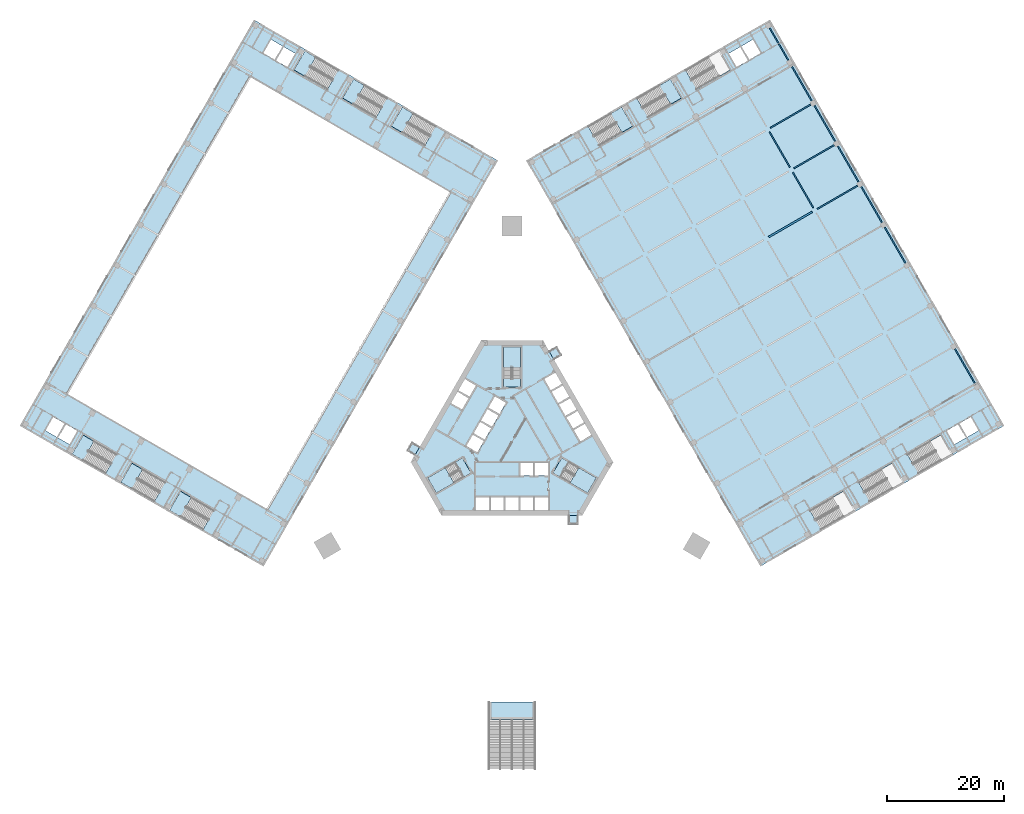
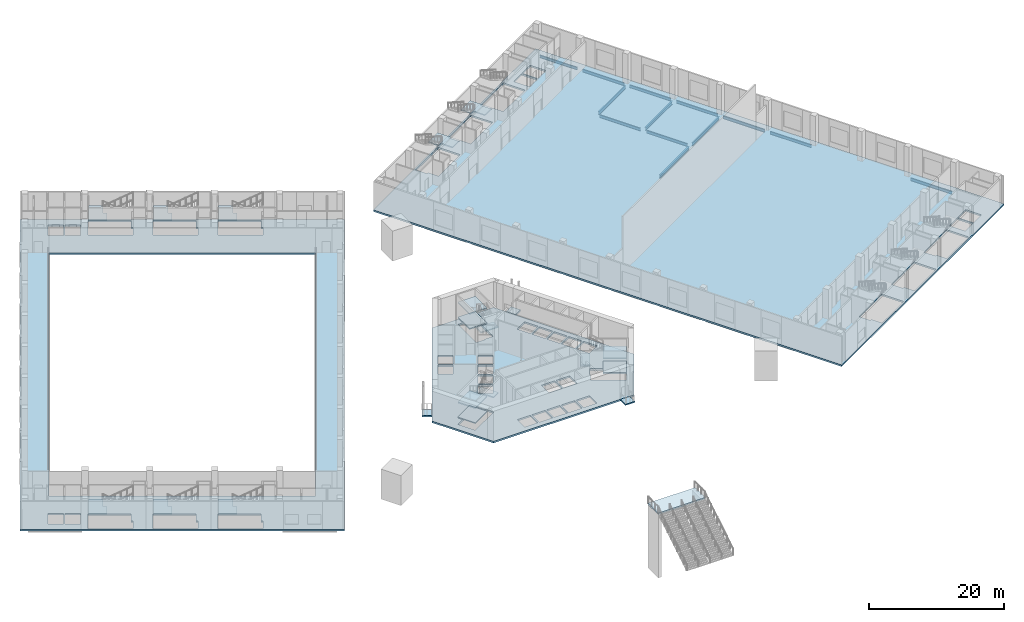
# One storey, part 7 of 35: 24 slabs, 13 beams, 11 elements without a shape of their own.
"""IFC4 building model written with IfcOpenShell, lengths in metres."""

import ifcopenshell
import ifcopenshell.guid

model = None  # the IFC model being written
_history = None  # IfcOwnerHistory: only IFC2X3 demands one
_inside = {}  # id of a spatial element -> (the spatial element, [elements in it])
_under = {}  # id of a project, library or spatial element -> (it, [spatial elements below it])
_declared = {}  # id of a project -> (the project, [libraries it declares])
_typed = {}  # id of a type object -> (the type object, [elements of that type])
_made_of = {}  # id of a material, layer set ... -> (it, [elements and type objects made of it])


def new_model(schema):
    """Start an empty IFC model of exactly this schema.

    Asked for "IFC4X3", IfcOpenShell would pick the latest addendum, in which some entities
    have other attributes; the version numbers below select the first issue.
    IFC2X3 requires an IfcOwnerHistory on every rooted entity: one is made here for all.
    """
    global model, _history
    if schema == "IFC4X3":
        model = ifcopenshell.file(schema_version=(4, 3, 0, 0))
    else:
        model = ifcopenshell.file(schema=schema)
    _inside.clear()
    _under.clear()
    _declared.clear()
    _typed.clear()
    _made_of.clear()
    _history = None
    if model.schema == "IFC2X3":
        org = make("IfcOrganization", Name="unknown")
        user = make(
            "IfcPersonAndOrganization",
            ThePerson=make("IfcPerson", FamilyName="unknown"),
            TheOrganization=org,
        )
        app = make(
            "IfcApplication",
            ApplicationDeveloper=org,
            Version="unknown",
            ApplicationFullName="unknown",
            ApplicationIdentifier="unknown",
        )
        _history = make(
            "IfcOwnerHistory",
            OwningUser=user,
            OwningApplication=app,
            ChangeAction="ADDED",
            CreationDate=0,
        )
    return model


def make(cls, **values):
    """One entity of the class cls with the attributes given. An attribute that is None is left unset."""
    return model.create_entity(
        cls, **{name: value for name, value in values.items() if value is not None}
    )


def rooted(cls, **values):
    """An entity with a GlobalId (a new one), such as an element, a storey or a relation."""
    return make(cls, GlobalId=ifcopenshell.guid.new(), OwnerHistory=_history, **values)


def si_unit(unit_type, name, prefix=None):
    """IfcSIUnit, for example si_unit("LENGTHUNIT", "METRE", prefix="MILLI")."""
    return make("IfcSIUnit", UnitType=unit_type, Prefix=prefix, Name=name)


def assignment(units):
    """IfcUnitAssignment: the units of a project."""
    return None if units is None else make("IfcUnitAssignment", Units=units)


def point(xyz):
    """IfcCartesianPoint."""
    return None if xyz is None else make("IfcCartesianPoint", Coordinates=xyz)


def direction(xyz):
    """IfcDirection."""
    return None if xyz is None else make("IfcDirection", DirectionRatios=xyz)


def frame(location, z_axis=None, x_axis=None):
    """IfcAxis2Placement3D, a coordinate frame: its origin and axes. An axis left out is left unset."""
    return make(
        "IfcAxis2Placement3D",
        Location=point(location),
        Axis=direction(z_axis),
        RefDirection=direction(x_axis),
    )


def frame_2d(location, x_axis=None):
    """IfcAxis2Placement2D, a coordinate frame in the plane: its origin and x axis."""
    return make(
        "IfcAxis2Placement2D", Location=point(location), RefDirection=direction(x_axis)
    )


def origin():
    """The frame at (0, 0, 0) with its axes left unset."""
    return frame((0.0, 0.0, 0.0))


def origin_2d():
    """The frame at (0, 0) in the plane with its x axis left unset."""
    return frame_2d((0.0, 0.0))


def place(relative_to, where):
    """IfcLocalPlacement: puts the frame where relative to a parent placement (None: the world)."""
    return make(
        "IfcLocalPlacement", PlacementRelTo=relative_to, RelativePlacement=where
    )


def context(
    kind, dimensions, precision=None, world=None, true_north=None, identifier=None
):
    """IfcGeometricRepresentationContext, for example the 3D "Model" context."""
    return make(
        "IfcGeometricRepresentationContext",
        ContextIdentifier=identifier,
        ContextType=kind,
        CoordinateSpaceDimension=dimensions,
        Precision=precision,
        WorldCoordinateSystem=world,
        TrueNorth=true_north,
    )


def subcontext(parent, identifier, kind, view, scale=None):
    """IfcGeometricRepresentationSubContext, for example "Body" below "Model"."""
    return make(
        "IfcGeometricRepresentationSubContext",
        ContextIdentifier=identifier,
        ContextType=kind,
        ParentContext=parent,
        TargetScale=scale,
        TargetView=view,
    )


def project(units=None, contexts=None):
    """IfcProject with its units and contexts."""
    return rooted(
        "IfcProject",
        Name="project",
        RepresentationContexts=contexts,
        UnitsInContext=assignment(units),
    )


def spatial(cls, under=None, at=None, **own):
    """A site, building, storey or space (cls), placed at a placement, below another one or the project."""
    s = rooted(cls, ObjectPlacement=at, **own)
    if under is not None:
        _under.setdefault(under.id(), (under, []))[1].append(s)
    return s


def polyline(points):
    """IfcPolyline through the points."""
    return make("IfcPolyline", Points=[point(p) for p in points])


def profile(cls, at=None, kind="AREA", **sizes):
    """A parametric profile (cls). Its sizes go by their IFC names, for example OverallWidth=200.0."""
    return make(cls, ProfileType=kind, Position=at, **sizes)


def i_section(**sizes):
    """IfcIShapeProfileDef."""
    return profile("IfcIShapeProfileDef", **sizes)


def outline(outer, holes=None, kind="AREA"):
    """IfcArbitraryClosedProfileDef: a profile drawn as a closed curve; with holes, ...WithVoids."""
    if holes is None:
        return make("IfcArbitraryClosedProfileDef", ProfileType=kind, OuterCurve=outer)
    return make(
        "IfcArbitraryProfileDefWithVoids",
        ProfileType=kind,
        OuterCurve=outer,
        InnerCurves=holes,
    )


def extrude(swept, where, along, depth):
    """IfcExtrudedAreaSolid: the profile swept, set in the frame where, extruded along a direction by depth."""
    return make(
        "IfcExtrudedAreaSolid",
        SweptArea=swept,
        Position=where,
        ExtrudedDirection=direction(along),
        Depth=depth,
    )


def shape(context_of_items, identifier, shape_type, items):
    """IfcShapeRepresentation: the items that make up one representation, for example the "Body"."""
    return make(
        "IfcShapeRepresentation",
        ContextOfItems=context_of_items,
        RepresentationIdentifier=identifier,
        RepresentationType=shape_type,
        Items=items,
    )


def material(Name=None, Category=None):
    """IfcMaterial."""
    return make("IfcMaterial", Name=Name, Category=Category)


def layer(
    of_material, thickness, ventilated=None, Name=None, Category=None, Priority=None
):
    """IfcMaterialLayer: one layer of a wall or slab, of a material (None: an air gap)."""
    return make(
        "IfcMaterialLayer",
        Material=of_material,
        LayerThickness=thickness,
        IsVentilated=ventilated,
        Name=Name,
        Category=Category,
        Priority=Priority,
    )


def layer_set(layers, Name=None):
    """IfcMaterialLayerSet."""
    return make("IfcMaterialLayerSet", MaterialLayers=layers, LayerSetName=Name)


def material_profile(
    of_material, cross_section, Name=None, Category=None, Priority=None
):
    """IfcMaterialProfile: a cross section and its material."""
    return make(
        "IfcMaterialProfile",
        Name=Name,
        Material=of_material,
        Profile=cross_section,
        Priority=Priority,
        Category=Category,
    )


def profile_set(profiles, Name=None, composite=None):
    """IfcMaterialProfileSet."""
    return make(
        "IfcMaterialProfileSet",
        Name=Name,
        MaterialProfiles=profiles,
        CompositeProfile=composite,
    )


def made_of(thing, what):
    """Note that an element or type object is made of a material, layer set ...; save() writes the relation."""
    if what is not None:
        _made_of.setdefault(what.id(), (what, []))[1].append(thing)
    return thing


def type_object(cls, material=None, **own):
    """A type object (cls), such as IfcWallType, which elements share."""
    return made_of(rooted(cls, **own), material)


def element(
    cls,
    number,
    at=None,
    inside=None,
    cuts=None,
    type_object=None,
    material=None,
    context=None,
    identifier="Body",
    shape_type=None,
    held_by="IfcProductDefinitionShape",
    body=None,
    shapes=None,
    **own,
):
    """One element of the class cls, such as IfcWall. Its Tag is "e" and its number.

    at: its placement. inside: the storey or other place that contains it. cuts: it is an
    opening in that element (IfcRelVoidsElement). A single representation is given by context,
    identifier, shape_type and body (its items); several are given by shapes. held_by: the class
    of the entity that holds the representations. save() writes the other relations.
    """
    e = rooted(cls, Tag="e%d" % number, ObjectPlacement=at, **own)
    if body is not None:
        shapes = [shape(context, identifier, shape_type, body)]
    if shapes is not None:
        e.Representation = make(held_by, Representations=shapes)
    if inside is not None:
        _inside.setdefault(inside.id(), (inside, []))[1].append(e)
    if cuts is not None:
        rooted(
            "IfcRelVoidsElement", RelatingBuildingElement=cuts, RelatedOpeningElement=e
        )
    if type_object is not None:
        _typed.setdefault(type_object.id(), (type_object, []))[1].append(e)
    return made_of(e, material)


def aggregate(whole, parts):
    """IfcRelAggregates: a whole, such as a stair, and the parts it consists of."""
    return rooted("IfcRelAggregates", RelatingObject=whole, RelatedObjects=parts)


def save(model, path):
    """Write the relations noted so far, then the file.

    IfcRelAggregates (storeys below a building ...), IfcRelContainedInSpatialStructure (elements
    in a storey), IfcRelDefinesByType, IfcRelAssociatesMaterial and IfcRelDeclares: one each for
    every whole, place, type object, material and project.
    """
    for whole, parts in _under.values():
        aggregate(whole, parts)
    for where, things in _inside.values():
        rooted(
            "IfcRelContainedInSpatialStructure",
            RelatedElements=things,
            RelatingStructure=where,
        )
    for kind, things in _typed.values():
        rooted("IfcRelDefinesByType", RelatedObjects=things, RelatingType=kind)
    for what, things in _made_of.values():
        rooted("IfcRelAssociatesMaterial", RelatedObjects=things, RelatingMaterial=what)
    for by, libraries in _declared.values():
        rooted("IfcRelDeclares", RelatingContext=by, RelatedDefinitions=libraries)
    model.write(path)


model = new_model("IFC4")

# Units and contexts
model_context = context("Model", 3, precision=1e-05, world=origin(), true_north=direction((0.0, 1.0)))
body_context = subcontext(model_context, "Body", "Model", "MODEL_VIEW")
ifc_project = project(units=[si_unit("LENGTHUNIT", "METRE"), si_unit("AREAUNIT", "SQUARE_METRE"), si_unit("VOLUMEUNIT", "CUBIC_METRE"), si_unit("PLANEANGLEUNIT", "RADIAN"), si_unit("MASSUNIT", "GRAM", prefix="KILO")], contexts=[model_context])

# Site, building, storey
site_placement = place(None, origin())
site = spatial("IfcSite", under=ifc_project, at=site_placement, CompositionType="ELEMENT")
building_placement = place(site_placement, origin())
building = spatial("IfcBuilding", under=site, at=building_placement, Name="Mestral Congress Tower", CompositionType="ELEMENT")
storey_placement = place(building_placement, frame((0.0, 0.0, 6.0)))
storey = spatial("IfcBuildingStorey", under=building, at=storey_placement, Name="L01", CompositionType="ELEMENT", Elevation=6.0)

# Beams
ifc_material_1 = material(Name="Steel S355", Category="steel")
ifc_material_profile_1 = material_profile(ifc_material_1, i_section(OverallWidth=0.300048828125, OverallDepth=0.60009765625, WebThickness=0.015380859375, FlangeThickness=0.030029296875, FilletRadius=0.027099609375, at=origin_2d()), Name="HEB 600")
ifc_profile_set_1 = profile_set([ifc_material_profile_1], Name="Steel S355")
beam_type_1 = type_object("IfcBeamType", Name="Floor beam HEB 600 S355", PredefinedType="BEAM", material=ifc_profile_set_1)
beam_1_placement = place(storey_placement, frame((43.828857421875, 34.542236328125, -0.60009765625), z_axis=(0.866021068297, 0.500007509209, 0.0), x_axis=(-0.500007509209, 0.866021068297, 0.0)))
element("IfcBeam", 1, at=beam_1_placement, inside=storey, type_object=beam_type_1, Name="BM-L01-E-V07D", PredefinedType="BEAM", context=body_context, shape_type="SweptSolid", body=[
    extrude(i_section(OverallWidth=0.300048828125, OverallDepth=0.60009765625, WebThickness=0.015380859375, FlangeThickness=0.030029296875, FilletRadius=0.027099609375, at=origin_2d()), origin(), (0.0, 0.0, 1.0), 8.599853515625),
])
ifc_material_profile_2 = material_profile(ifc_material_1, i_section(OverallWidth=0.199951171875, OverallDepth=0.5, WebThickness=0.01025390625, FlangeThickness=0.01611328125, FilletRadius=0.02099609375, at=origin_2d()), Name="IPE 500")
ifc_profile_set_2 = profile_set([ifc_material_profile_2], Name="Steel S355")
beam_type_2 = type_object("IfcBeamType", Name="Floor beam IPE 500 S355", PredefinedType="BEAM", material=ifc_profile_set_2)
beam_2_placement = place(storey_placement, frame((47.1923828125, 64.716552734375, -0.550048828125), z_axis=(-0.500028443584, 0.866008981251, 0.0), x_axis=(-0.866008981251, -0.500028443584, 0.0)))
element("IfcBeam", 2, at=beam_2_placement, inside=storey, type_object=beam_type_2, Name="BM-L01-E-U10F", PredefinedType="BEAM", context=body_context, shape_type="SweptSolid", body=[
    extrude(i_section(OverallWidth=0.199951171875, OverallDepth=0.5, WebThickness=0.01025390625, FlangeThickness=0.01611328125, FilletRadius=0.02099609375, at=origin_2d()), origin(), (0.0, 0.0, 1.0), 6.400146484375),
])
ifc_material_profile_3 = material_profile(ifc_material_1, i_section(OverallWidth=0.2099609375, OverallDepth=0.550048828125, WebThickness=0.010986328125, FlangeThickness=0.01708984375, FilletRadius=0.02392578125, at=origin_2d()), Name="IPE 550")
ifc_profile_set_3 = profile_set([ifc_material_profile_3], Name="Steel S355")
beam_type_3 = type_object("IfcBeamType", Name="Floor beam IPE 550 S355", PredefinedType="BEAM", material=ifc_profile_set_3)
for number, where, z_axis, x_axis, name in (
    (3, (51.459716796875, 39.525146484375, -0.574951171875), (-0.499995173006, 0.866028190633, 0.0), (-0.866028190633, -0.499995173006, 0.0), "BM-L01-E-U07E"),
    (4, (47.459716796875, 46.453369140625, -0.574951171875), (-0.499995173006, 0.866028190633, 0.0), (-0.866028190633, -0.499995173006, 0.0), "BM-L01-E-U08E"),
):
    element("IfcBeam", number, at=place(storey_placement, frame(where, z_axis=z_axis, x_axis=x_axis)), inside=storey, type_object=beam_type_3, Name=name, PredefinedType="BEAM", context=body_context, shape_type="SweptSolid", body=[
        extrude(i_section(OverallWidth=0.2099609375, OverallDepth=0.550048828125, WebThickness=0.010986328125, FlangeThickness=0.01708984375, FilletRadius=0.02392578125, at=origin_2d()), origin(), (0.0, 0.0, 1.0), 7.0),
    ])
beam_3_placement = place(storey_placement, frame((79.1923828125, 9.291015625, -0.574951171875), z_axis=(-0.500011179042, 0.866018949465, 0.0), x_axis=(-0.866018949465, -0.500011179042, 0.0)))
element("IfcBeam", 5, at=beam_3_placement, inside=storey, type_object=beam_type_3, Name="BM-L01-E-U02F", PredefinedType="BEAM", context=body_context, shape_type="SweptSolid", body=[
    extrude(i_section(OverallWidth=0.2099609375, OverallDepth=0.550048828125, WebThickness=0.010986328125, FlangeThickness=0.01708984375, FilletRadius=0.02392578125, at=origin_2d()), origin(), (0.0, 0.0, 1.0), 7.099853515625),
])
for number, where, z_axis, x_axis, name in (
    (6, (67.1923828125, 30.075439453125, -0.574951171875), (-0.499996289485, 0.866027546041, 0.0), (-0.866027546041, -0.499996289485, 0.0), "BM-L01-E-U05F"),
    (7, (63.1923828125, 37.003662109375, -0.574951171875), (-0.499996289485, 0.866027546041, 0.0), (-0.866027546041, -0.499996289485, 0.0), "BM-L01-E-U06F"),
    (8, (59.1923828125, 43.931884765625, -0.574951171875), (-0.499996289485, 0.866027546041, 0.0), (-0.866027546041, -0.499996289485, 0.0), "BM-L01-E-U07F"),
):
    element("IfcBeam", number, at=place(storey_placement, frame(where, z_axis=z_axis, x_axis=x_axis)), inside=storey, type_object=beam_type_3, Name=name, PredefinedType="BEAM", context=body_context, shape_type="SweptSolid", body=[
        extrude(i_section(OverallWidth=0.2099609375, OverallDepth=0.550048828125, WebThickness=0.010986328125, FlangeThickness=0.01708984375, FilletRadius=0.02392578125, at=origin_2d()), origin(), (0.0, 0.0, 1.0), 7.10009765625),
    ])
for number, where, z_axis, x_axis, name in (
    (9, (55.1923828125, 50.860107421875, -0.574951171875), (-0.500011179042, 0.866018949465, 0.0), (-0.866018949465, -0.500011179042, 0.0), "BM-L01-E-U08F"),
    (10, (51.1923828125, 57.788330078125, -0.574951171875), (-0.500011179042, 0.866018949465, 0.0), (-0.866018949465, -0.500011179042, 0.0), "BM-L01-E-U09F"),
):
    element("IfcBeam", number, at=place(storey_placement, frame(where, z_axis=z_axis, x_axis=x_axis)), inside=storey, type_object=beam_type_3, Name=name, PredefinedType="BEAM", context=body_context, shape_type="SweptSolid", body=[
        extrude(i_section(OverallWidth=0.2099609375, OverallDepth=0.550048828125, WebThickness=0.010986328125, FlangeThickness=0.01708984375, FilletRadius=0.02392578125, at=origin_2d()), origin(), (0.0, 0.0, 1.0), 7.099853515625),
    ])
ifc_material_profile_4 = material_profile(ifc_material_1, i_section(OverallWidth=0.219970703125, OverallDepth=0.60009765625, WebThickness=0.011962890625, FlangeThickness=0.01904296875, FilletRadius=0.02392578125, at=origin_2d()), Name="IPE 600")
ifc_profile_set_4 = profile_set([ifc_material_profile_4], Name="Steel S355")
beam_type_4 = type_object("IfcBeamType", Name="Floor beam IPE 600 S355", PredefinedType="BEAM", material=ifc_profile_set_4)
for number, where, z_axis, x_axis, name in (
    (11, (52.142578125, 39.34228515625, -0.60009765625), (0.866036772208, 0.499980308795, 0.0), (-0.499980308795, 0.866036772208, 0.0), "BM-L01-E-V07E"),
    (12, (48.142578125, 46.2705078125, -0.60009765625), (0.866036772208, 0.499980308795, 0.0), (-0.499980308795, 0.866036772208, 0.0), "BM-L01-E-V08E"),
):
    element("IfcBeam", number, at=place(storey_placement, frame(where, z_axis=z_axis, x_axis=x_axis)), inside=storey, type_object=beam_type_4, Name=name, PredefinedType="BEAM", context=body_context, shape_type="SweptSolid", body=[
        extrude(i_section(OverallWidth=0.219970703125, OverallDepth=0.60009765625, WebThickness=0.011962890625, FlangeThickness=0.01904296875, FilletRadius=0.02392578125, at=origin_2d()), origin(), (0.0, 0.0, 1.0), 7.949951171875),
    ])
beam_4_placement = place(storey_placement, frame((44.142578125, 53.198486328125, -0.60009765625), z_axis=(0.86602347488, 0.500003340945, 0.0), x_axis=(-0.500003340945, 0.86602347488, 0.0)))
element("IfcBeam", 13, at=beam_4_placement, inside=storey, type_object=beam_type_4, Name="BM-L01-E-V09E", PredefinedType="BEAM", context=body_context, shape_type="SweptSolid", body=[
    extrude(i_section(OverallWidth=0.219970703125, OverallDepth=0.60009765625, WebThickness=0.011962890625, FlangeThickness=0.01904296875, FilletRadius=0.02392578125, at=origin_2d()), origin(), (0.0, 0.0, 1.0), 7.9501953125),
])

# Slabs
ifc_material_2 = material(Name="Concrete C35/45", Category="concrete")
ifc_layer_1 = layer(ifc_material_2, 0.300048828125)
ifc_layer_set_1 = layer_set([ifc_layer_1], Name="Concrete C35/45")
slab_type_1 = type_object("IfcSlabType", Name="Composite floor slab 300", PredefinedType="FLOOR", material=ifc_layer_set_1)
placement_1 = place(storey_placement, frame((0.0, 0.0, -0.300048828125)))
element("IfcSlab", 14, at=placement_1, inside=storey, type_object=slab_type_1, Name="SL-L01-E-0", PredefinedType="FLOOR", context=body_context, shape_type="SweptSolid", body=[
    extrude(outline(polyline([(42.454345703125, -21.677001953125), (84.0234375, 2.322998046875), (44.0234375, 71.60498046875), (2.454345703125, 47.60498046875), (42.454345703125, -21.677001953125)]), holes=[polyline([(50.898681640625, -12.182861328125), (56.6923828125, -8.837890625), (57.59228515625, -10.396728515625), (57.667236328125, -10.526611328125), (58.5673828125, -12.08544921875), (53.024658203125, -15.285400390625), (52.124755859375, -13.7265625), (51.87353515625, -13.87158203125), (51.798583984375, -13.74169921875), (50.898681640625, -12.182861328125)]), polyline([(13.023681640625, 53.41845703125), (18.8173828125, 56.763427734375), (19.71728515625, 55.20458984375), (19.792236328125, 55.07470703125), (20.6923828125, 53.515869140625), (15.149658203125, 50.31591796875), (14.249755859375, 51.874755859375), (13.99853515625, 51.729736328125), (13.923583984375, 51.859619140625), (13.023681640625, 53.41845703125)]), polyline([(59.21240234375, -7.3828125), (65.006103515625, -4.037841796875), (65.906005859375, -5.5966796875), (65.981201171875, -5.7265625), (66.881103515625, -7.285400390625), (61.338623046875, -10.485595703125), (60.438720703125, -8.926513671875), (60.1875, -9.071533203125), (60.1123046875, -8.941650390625), (59.21240234375, -7.3828125)]), polyline([(22.2373046875, 56.65966796875), (21.33740234375, 58.218505859375), (27.131103515625, 61.5634765625), (28.031005859375, 60.004638671875), (28.106201171875, 59.874755859375), (29.006103515625, 58.31591796875), (23.463623046875, 55.115966796875), (22.563720703125, 56.6748046875), (22.3125, 56.52978515625), (22.2373046875, 56.65966796875)]), polyline([(68.42626953125, -4.1416015625), (67.5263671875, -2.5830078125), (73.320068359375, 0.76220703125), (74.219970703125, -0.796630859375), (74.294921875, -0.926513671875), (75.195068359375, -2.485595703125), (69.65234375, -5.685546875), (68.75244140625, -4.126708984375), (68.501220703125, -4.271484375), (68.42626953125, -4.1416015625)]), polyline([(29.6513671875, 63.0185546875), (35.445068359375, 66.363525390625), (36.344970703125, 64.8046875), (36.419921875, 64.6748046875), (37.320068359375, 63.115966796875), (31.77734375, 59.916015625), (30.87744140625, 61.474853515625), (30.626220703125, 61.329833984375), (30.55126953125, 61.459716796875), (29.6513671875, 63.0185546875)]), polyline([(77.53955078125, 0.253662109375), (75.547607421875, -0.896240234375), (74.197509765625, 1.44189453125), (76.189453125, 2.592041015625), (77.53955078125, 0.253662109375)]), polyline([(40.339599609375, 64.68603515625), (38.34765625, 63.535888671875), (36.99755859375, 65.874267578125), (38.989501953125, 67.0244140625), (40.339599609375, 64.68603515625)]), polyline([(78.3544921875, 3.842041015625), (79.70458984375, 1.503662109375), (77.712646484375, 0.353759765625), (76.36279296875, 2.69189453125), (78.3544921875, 3.842041015625)]), polyline([(41.154541015625, 68.2744140625), (42.50439453125, 65.93603515625), (40.5126953125, 64.785888671875), (39.16259765625, 67.124267578125), (41.154541015625, 68.2744140625)])]), origin(), (0.0, 0.0, 1.0), 0.300048828125),
])
element("IfcSlab", 15, at=placement_1, inside=storey, type_object=slab_type_1, Name="SL-L01-W-0", PredefinedType="FLOOR", context=body_context, shape_type="SweptSolid", body=[
    extrude(outline(polyline([(-2.454345703125, 47.60498046875), (-44.0234375, 71.60498046875), (-84.0234375, 2.322998046875), (-42.454345703125, -21.677001953125), (-2.454345703125, 47.60498046875)]), holes=[polyline([(-14.898681640625, 50.1708984375), (-20.6923828125, 53.515869140625), (-19.792236328125, 55.07470703125), (-19.71728515625, 55.20458984375), (-18.8173828125, 56.763427734375), (-13.274658203125, 53.5634765625), (-14.1748046875, 52.004638671875), (-13.923583984375, 51.859619140625), (-13.99853515625, 51.729736328125), (-14.898681640625, 50.1708984375)]), polyline([(-44.612060546875, 61.985595703125), (-10.49072265625, 42.285400390625), (-41.86572265625, -12.0576171875), (-75.987060546875, 7.642333984375), (-44.612060546875, 61.985595703125)]), polyline([(-23.21240234375, 54.970947265625), (-29.006103515625, 58.31591796875), (-28.106201171875, 59.874755859375), (-28.031005859375, 60.004638671875), (-27.131103515625, 61.5634765625), (-21.588623046875, 58.363525390625), (-22.488525390625, 56.8046875), (-22.2373046875, 56.65966796875), (-22.3125, 56.52978515625), (-23.21240234375, 54.970947265625)]), polyline([(-30.626220703125, 61.32958984375), (-31.5263671875, 59.77099609375), (-37.320068359375, 63.115966796875), (-36.419921875, 64.6748046875), (-36.344970703125, 64.8046875), (-35.445068359375, 66.363525390625), (-29.90234375, 63.16357421875), (-30.802490234375, 61.6044921875), (-30.55126953125, 61.459716796875), (-30.626220703125, 61.32958984375)]), polyline([(-40.339599609375, 64.68603515625), (-38.989501953125, 67.0244140625), (-36.99755859375, 65.874267578125), (-38.34765625, 63.535888671875), (-40.339599609375, 64.68603515625)]), polyline([(-41.154541015625, 68.2744140625), (-39.16259765625, 67.124267578125), (-40.5126953125, 64.785888671875), (-42.50439453125, 65.93603515625), (-41.154541015625, 68.2744140625)]), polyline([(-51.87353515625, -13.87158203125), (-52.773681640625, -15.430419921875), (-58.5673828125, -12.08544921875), (-57.667236328125, -10.526611328125), (-57.59228515625, -10.396728515625), (-56.6923828125, -8.837890625), (-51.149658203125, -12.037841796875), (-52.0498046875, -13.5966796875), (-51.798583984375, -13.74169921875), (-51.87353515625, -13.87158203125)]), polyline([(-60.1875, -9.07177734375), (-61.08740234375, -10.630615234375), (-66.881103515625, -7.285400390625), (-65.981201171875, -5.726806640625), (-65.906005859375, -5.5966796875), (-65.006103515625, -4.037841796875), (-59.463623046875, -7.23779296875), (-60.363525390625, -8.796875), (-60.1123046875, -8.94189453125), (-60.1875, -9.07177734375)]), polyline([(-69.4013671875, -5.83056640625), (-75.195068359375, -2.485595703125), (-74.294921875, -0.9267578125), (-74.219970703125, -0.796875), (-73.320068359375, 0.76220703125), (-67.77734375, -2.43798828125), (-68.677490234375, -3.996826171875), (-68.42626953125, -4.141845703125), (-68.501220703125, -4.271728515625), (-69.4013671875, -5.83056640625)]), polyline([(-77.53955078125, 0.253662109375), (-76.189453125, 2.592041015625), (-74.197509765625, 1.44189453125), (-75.547607421875, -0.896240234375), (-77.53955078125, 0.253662109375)]), polyline([(-79.70458984375, 1.503662109375), (-78.3544921875, 3.842041015625), (-76.36279296875, 2.69189453125), (-77.712646484375, 0.353759765625), (-79.70458984375, 1.503662109375)])]), origin(), (0.0, 0.0, 1.0), 0.300048828125),
])
ifc_material_3 = material(Name="Concrete C60/75", Category="concrete")
ifc_layer_2 = layer(ifc_material_3, 0.300048828125)
ifc_layer_set_2 = layer_set([ifc_layer_2], Name="Concrete C60/75")
slab_type_2 = type_object("IfcSlabType", Name="Core floor slab RC 300", PredefinedType="FLOOR", material=ifc_layer_set_2)
element("IfcSlab", 16, at=placement_1, inside=storey, type_object=slab_type_2, Name="L01 core floor", PredefinedType="FLOOR", context=body_context, shape_type="SweptSolid", body=[
    extrude(outline(polyline([(12.0087890625, -13.0), (-12.0087890625, -13.0), (-17.2626953125, -3.89990234375), (-5.25390625, 16.89990234375), (5.25390625, 16.89990234375), (17.2626953125, -3.89990234375), (12.0087890625, -13.0)]), holes=[polyline([(-3.905029296875, -9.89990234375), (-6.175048828125, -9.89990234375), (-6.175048828125, -12.10009765625), (-3.905029296875, -12.10009765625), (-3.905029296875, -9.89990234375)]), polyline([(-1.385009765625, -9.89990234375), (-3.655029296875, -9.89990234375), (-3.655029296875, -12.10009765625), (-1.385009765625, -12.10009765625), (-1.385009765625, -9.89990234375)]), polyline([(1.135009765625, -9.89990234375), (-1.135009765625, -9.89990234375), (-1.135009765625, -12.10009765625), (1.135009765625, -12.10009765625), (1.135009765625, -9.89990234375)]), polyline([(-9.0673828125, -5.235107421875), (-9.8046875, -3.95751953125), (-14.37744140625, -6.59765625), (-12.90234375, -9.15234375), (-8.234619140625, -6.45751953125), (-8.971923828125, -5.179931640625), (-9.0673828125, -5.235107421875)]), polyline([(-7.826904296875, -1.156494140625), (-5.921630859375, -2.256591796875), (-4.78662109375, -0.29052734375), (-6.69189453125, 0.809326171875), (-7.826904296875, -1.156494140625)]), polyline([(-4.66162109375, -0.07421875), (-3.526611328125, 1.8916015625), (-5.431884765625, 2.99169921875), (-6.56689453125, 1.02587890625), (-4.66162109375, -0.07421875)]), polyline([(-3.401611328125, 2.1083984375), (-2.2666015625, 4.07421875), (-4.171875, 5.174072265625), (-5.306884765625, 3.208251953125), (-3.401611328125, 2.1083984375)]), polyline([(-2.1416015625, 4.29052734375), (-1.006591796875, 6.256591796875), (-2.911865234375, 7.3564453125), (-4.046875, 5.390625), (-2.1416015625, 4.29052734375)]), polyline([(-10.41650390625, 6.158203125), (-8.51123046875, 5.058349609375), (-7.376220703125, 7.024169921875), (-9.281494140625, 8.1240234375), (-10.41650390625, 6.158203125)]), polyline([(-9.156494140625, 8.340576171875), (-7.251220703125, 7.240478515625), (-6.1162109375, 9.20654296875), (-8.021484375, 10.306396484375), (-9.156494140625, 8.340576171875)]), polyline([(1.47509765625, 10.469970703125), (1.47509765625, 15.75), (-1.47509765625, 15.75), (-1.47509765625, 10.360107421875), (0.0, 10.360107421875), (0.0, 10.469970703125), (1.47509765625, 10.469970703125)]), polyline([(3.655029296875, -9.89990234375), (1.385009765625, -9.89990234375), (1.385009765625, -12.10009765625), (3.655029296875, -12.10009765625), (3.655029296875, -9.89990234375)]), polyline([(6.175048828125, -9.89990234375), (3.905029296875, -9.89990234375), (3.905029296875, -12.10009765625), (6.175048828125, -12.10009765625), (6.175048828125, -9.89990234375)]), polyline([(9.0673828125, -5.235107421875), (8.329833984375, -6.512451171875), (12.90234375, -9.15234375), (14.37744140625, -6.59765625), (9.70947265625, -3.902587890625), (8.971923828125, -5.179931640625), (9.0673828125, -5.235107421875)]), polyline([(3.655029296875, -6.199951171875), (3.655029296875, -4.0), (1.385009765625, -4.0), (1.385009765625, -6.199951171875), (3.655029296875, -6.199951171875)]), polyline([(6.175048828125, -4.0), (3.905029296875, -4.0), (3.905029296875, -6.199951171875), (6.175048828125, -6.199951171875), (6.175048828125, -4.0)]), polyline([(12.431396484375, 2.668212890625), (10.526123046875, 1.568115234375), (11.6611328125, -0.397705078125), (13.56640625, 0.702392578125), (12.431396484375, 2.668212890625)]), polyline([(11.17138671875, 4.8505859375), (9.26611328125, 3.75048828125), (10.401123046875, 1.78466796875), (12.306396484375, 2.884765625), (11.17138671875, 4.8505859375)]), polyline([(8.006103515625, 5.932861328125), (9.14111328125, 3.967041015625), (11.04638671875, 5.067138671875), (9.911376953125, 7.032958984375), (8.006103515625, 5.932861328125)]), polyline([(8.6513671875, 9.21533203125), (6.74609375, 8.115234375), (7.881103515625, 6.1494140625), (9.786376953125, 7.24951171875), (8.6513671875, 9.21533203125)]), polyline([(7.391357421875, 11.397705078125), (5.486083984375, 10.297607421875), (6.62109375, 8.331787109375), (8.5263671875, 9.431884765625), (7.391357421875, 11.397705078125)])]), origin(), (0.0, 0.0, 1.0), 0.300048828125),
])

# Stair, slabs
stair_type_1 = type_object("IfcStairType", Name="Exit stair 1400", PredefinedType="HALF_TURN_STAIR", material=ifc_material_3)
placement_2 = place(storey_placement, origin())
stair_1 = element("IfcStair", 17, at=placement_2, inside=storey, type_object=stair_type_1, Name="L01 ST1", PredefinedType="HALF_TURN_STAIR")
ifc_layer_3 = layer(ifc_material_3, 0.199951171875)
ifc_layer_set_3 = layer_set([ifc_layer_3], Name="Concrete C60/75")
slab_type_3 = type_object("IfcSlabType", Name="Exit stair landing 200", PredefinedType="LANDING", material=ifc_layer_set_3)
placement_3 = place(storey_placement, frame((0.0, 0.0, 1.14990234375)))
slab_4 = element("IfcSlab", 18, at=placement_3, type_object=slab_type_3, Name="ST1 landing 1", PredefinedType="LANDING", context=body_context, shape_type="SweptSolid", body=[
    extrude(outline(polyline([(9.90966796875, -7.43603515625), (11.39453125, -4.864013671875), (14.39111328125, -6.593994140625), (12.906005859375, -9.166015625), (9.90966796875, -7.43603515625)])), origin(), (0.0, 0.0, 1.0), 0.2001953125),
])
placement_4 = place(storey_placement, frame((0.0, 0.0, 2.5)))
slab_5 = element("IfcSlab", 19, at=placement_4, type_object=slab_type_3, Name="ST1 landing 2", PredefinedType="LANDING", context=body_context, shape_type="SweptSolid", body=[
    extrude(outline(polyline([(6.999755859375, -5.756103515625), (8.48486328125, -3.18408203125), (9.714599609375, -3.89404296875), (8.2294921875, -6.466064453125), (6.999755859375, -5.756103515625)])), origin(), (0.0, 0.0, 1.0), 0.199951171875),
])
placement_5 = place(storey_placement, frame((0.0, 0.0, 3.85009765625)))
slab_6 = element("IfcSlab", 20, at=placement_5, type_object=slab_type_3, Name="ST1 landing 3", PredefinedType="LANDING", context=body_context, shape_type="SweptSolid", body=[
    extrude(outline(polyline([(9.90966796875, -7.43603515625), (11.39453125, -4.864013671875), (14.39111328125, -6.593994140625), (12.906005859375, -9.166015625), (9.90966796875, -7.43603515625)])), origin(), (0.0, 0.0, 1.0), 0.199951171875),
])
aggregate(stair_1, [slab_4, slab_5, slab_6])

stair_2 = element("IfcStair", 21, at=placement_2, inside=storey, type_object=stair_type_1, Name="L01 ST2", PredefinedType="HALF_TURN_STAIR")
slab_7 = element("IfcSlab", 22, at=placement_3, type_object=slab_type_3, Name="ST2 landing 1", PredefinedType="LANDING", context=body_context, shape_type="SweptSolid", body=[
    extrude(outline(polyline([(1.485107421875, 12.300048828125), (-1.485107421875, 12.300048828125), (-1.485107421875, 15.760009765625), (1.485107421875, 15.760009765625), (1.485107421875, 12.300048828125)])), origin(), (0.0, 0.0, 1.0), 0.2001953125),
])
slab_8 = element("IfcSlab", 23, at=placement_4, type_object=slab_type_3, Name="ST2 landing 2", PredefinedType="LANDING", context=body_context, shape_type="SweptSolid", body=[
    extrude(outline(polyline([(1.485107421875, 8.93994140625), (-1.485107421875, 8.93994140625), (-1.485107421875, 10.360107421875), (1.485107421875, 10.360107421875), (1.485107421875, 8.93994140625)])), origin(), (0.0, 0.0, 1.0), 0.199951171875),
])
slab_9 = element("IfcSlab", 24, at=placement_5, type_object=slab_type_3, Name="ST2 landing 3", PredefinedType="LANDING", context=body_context, shape_type="SweptSolid", body=[
    extrude(outline(polyline([(1.485107421875, 12.300048828125), (-1.485107421875, 12.300048828125), (-1.485107421875, 15.760009765625), (1.485107421875, 15.760009765625), (1.485107421875, 12.300048828125)])), origin(), (0.0, 0.0, 1.0), 0.199951171875),
])
aggregate(stair_2, [slab_7, slab_8, slab_9])

stair_3 = element("IfcStair", 25, at=placement_2, inside=storey, type_object=stair_type_1, Name="L01 ST3", PredefinedType="HALF_TURN_STAIR")
slab_10 = element("IfcSlab", 26, at=placement_3, type_object=slab_type_3, Name="ST3 landing 1", PredefinedType="LANDING", context=body_context, shape_type="SweptSolid", body=[
    extrude(outline(polyline([(-11.39453125, -4.864013671875), (-9.90966796875, -7.43603515625), (-12.906005859375, -9.166015625), (-14.39111328125, -6.593994140625), (-11.39453125, -4.864013671875)])), origin(), (0.0, 0.0, 1.0), 0.2001953125),
])
slab_11 = element("IfcSlab", 27, at=placement_4, type_object=slab_type_3, Name="ST3 landing 2", PredefinedType="LANDING", context=body_context, shape_type="SweptSolid", body=[
    extrude(outline(polyline([(-8.48486328125, -3.18408203125), (-6.999755859375, -5.756103515625), (-8.2294921875, -6.466064453125), (-9.714599609375, -3.89404296875), (-8.48486328125, -3.18408203125)])), origin(), (0.0, 0.0, 1.0), 0.199951171875),
])
slab_12 = element("IfcSlab", 28, at=placement_5, type_object=slab_type_3, Name="ST3 landing 3", PredefinedType="LANDING", context=body_context, shape_type="SweptSolid", body=[
    extrude(outline(polyline([(-11.39453125, -4.864013671875), (-9.90966796875, -7.43603515625), (-12.906005859375, -9.166015625), (-14.39111328125, -6.593994140625), (-11.39453125, -4.864013671875)])), origin(), (0.0, 0.0, 1.0), 0.199951171875),
])
aggregate(stair_3, [slab_10, slab_11, slab_12])

# Slabs
ifc_material_4 = material(Name="Concrete C40/50", Category="concrete")
ifc_layer_4 = layer(ifc_material_4, 0.199951171875)
ifc_layer_set_4 = layer_set([ifc_layer_4], Name="Concrete C40/50")
slab_type_4 = type_object("IfcSlabType", Name="Podium door landing slab 200", PredefinedType="LANDING", material=ifc_layer_set_4)
placement_6 = place(storey_placement, frame((0.0, 0.0, -0.199951171875)))
element("IfcSlab", 29, at=placement_6, inside=storey, type_object=slab_type_4, Name="Door landing", PredefinedType="LANDING", context=body_context, shape_type="SweptSolid", body=[
    extrude(outline(polyline([(9.661865234375, -13.0), (9.661865234375, -14.5), (11.26171875, -14.5), (11.26171875, -13.0), (9.661865234375, -13.0)])), origin(), (0.0, 0.0, 1.0), 0.199951171875),
])
element("IfcSlab", 30, at=placement_6, inside=storey, type_object=slab_type_4, Name="Door landing", PredefinedType="LANDING", context=body_context, shape_type="SweptSolid", body=[
    extrude(outline(polyline([(7.140625, 13.632080078125), (8.439697265625, 14.382080078125), (7.6396484375, 15.767822265625), (6.340576171875, 15.017822265625), (7.140625, 13.632080078125)])), origin(), (0.0, 0.0, 1.0), 0.199951171875),
])
element("IfcSlab", 31, at=placement_6, inside=storey, type_object=slab_type_4, Name="Door landing", PredefinedType="LANDING", context=body_context, shape_type="SweptSolid", body=[
    extrude(outline(polyline([(-15.774169921875, -1.32177734375), (-17.0732421875, -0.57177734375), (-17.873291015625, -1.95751953125), (-16.57421875, -2.70751953125), (-15.774169921875, -1.32177734375)])), origin(), (0.0, 0.0, 1.0), 0.199951171875),
])

# Stair, slab
stair_type_2 = type_object("IfcStairType", Name="Podium exit stair 1800", PredefinedType="HALF_TURN_STAIR", material=ifc_material_4)
stair_4 = element("IfcStair", 32, at=placement_2, inside=storey, type_object=stair_type_2, Name="L01 Exit stair E4", PredefinedType="HALF_TURN_STAIR")
ifc_layer_5 = layer(ifc_material_4, 0.199951171875)
ifc_layer_set_5 = layer_set([ifc_layer_5], Name="Concrete C40/50")
slab_type_5 = type_object("IfcSlabType", Name="Podium exit stair landing 200", PredefinedType="LANDING", material=ifc_layer_set_5)
slab_16 = element("IfcSlab", 33, at=placement_4, type_object=slab_type_5, Name="PS-E4 landing 1", PredefinedType="LANDING", context=body_context, shape_type="SweptSolid", body=[
    extrude(outline(polyline([(18.760986328125, 52.40087890625), (17.7861328125, 54.089599609375), (17.275146484375, 53.794677734375), (16.375244140625, 55.353515625), (18.730712890625, 56.71337890625), (20.605712890625, 53.4658203125), (18.760986328125, 52.40087890625)])), origin(), (0.0, 0.0, 1.0), 0.199951171875),
])
aggregate(stair_4, [slab_16])

stair_5 = element("IfcStair", 34, at=placement_2, inside=storey, type_object=stair_type_2, Name="L01 Exit stair E5", PredefinedType="HALF_TURN_STAIR")
slab_17 = element("IfcSlab", 35, at=placement_4, type_object=slab_type_5, Name="PS-E5 landing 1", PredefinedType="LANDING", context=body_context, shape_type="SweptSolid", body=[
    extrude(outline(polyline([(27.074951171875, 57.200927734375), (26.099853515625, 58.8896484375), (25.5888671875, 58.5947265625), (24.68896484375, 60.153564453125), (27.04443359375, 61.513427734375), (28.91943359375, 58.265869140625), (27.074951171875, 57.200927734375)])), origin(), (0.0, 0.0, 1.0), 0.199951171875),
])
aggregate(stair_5, [slab_17])

stair_6 = element("IfcStair", 36, at=placement_2, inside=storey, type_object=stair_type_2, Name="L01 Exit stair W1", PredefinedType="HALF_TURN_STAIR")
slab_18 = element("IfcSlab", 37, at=placement_4, type_object=slab_type_5, Name="PS-W1 landing 1", PredefinedType="LANDING", context=body_context, shape_type="SweptSolid", body=[
    extrude(outline(polyline([(-17.35009765625, 53.664794921875), (-18.250244140625, 52.10595703125), (-20.605712890625, 53.4658203125), (-18.730712890625, 56.71337890625), (-16.885986328125, 55.6484375), (-17.861083984375, 53.959716796875), (-17.35009765625, 53.664794921875)])), origin(), (0.0, 0.0, 1.0), 0.199951171875),
])
aggregate(stair_6, [slab_18])

stair_7 = element("IfcStair", 38, at=placement_2, inside=storey, type_object=stair_type_2, Name="L01 Exit stair W2", PredefinedType="HALF_TURN_STAIR")
slab_19 = element("IfcSlab", 39, at=placement_4, type_object=slab_type_5, Name="PS-W2 landing 1", PredefinedType="LANDING", context=body_context, shape_type="SweptSolid", body=[
    extrude(outline(polyline([(-25.663818359375, 58.46484375), (-26.56396484375, 56.906005859375), (-28.91943359375, 58.265869140625), (-27.04443359375, 61.513427734375), (-25.199951171875, 60.448486328125), (-26.1748046875, 58.759765625), (-25.663818359375, 58.46484375)])), origin(), (0.0, 0.0, 1.0), 0.199951171875),
])
aggregate(stair_7, [slab_19])

stair_8 = element("IfcStair", 40, at=placement_2, inside=storey, type_object=stair_type_2, Name="L01 Exit stair W3", PredefinedType="HALF_TURN_STAIR")
slab_20 = element("IfcSlab", 41, at=placement_4, type_object=slab_type_5, Name="PS-W3 landing 1", PredefinedType="LANDING", context=body_context, shape_type="SweptSolid", body=[
    extrude(outline(polyline([(-33.977783203125, 63.2646484375), (-34.877685546875, 61.705810546875), (-37.2333984375, 63.06591796875), (-35.3583984375, 66.3134765625), (-33.513671875, 65.24853515625), (-34.48876953125, 63.559814453125), (-33.977783203125, 63.2646484375)])), origin(), (0.0, 0.0, 1.0), 0.199951171875),
])
aggregate(stair_8, [slab_20])

stair_9 = element("IfcStair", 42, at=placement_2, inside=storey, type_object=stair_type_2, Name="L01 Exit stair W4", PredefinedType="HALF_TURN_STAIR")
slab_21 = element("IfcSlab", 43, at=placement_4, type_object=slab_type_5, Name="PS-W4 landing 1", PredefinedType="LANDING", context=body_context, shape_type="SweptSolid", body=[
    extrude(outline(polyline([(-55.22509765625, -11.936767578125), (-56.125244140625, -13.49560546875), (-58.480712890625, -12.135498046875), (-56.605712890625, -8.887939453125), (-54.760986328125, -9.952880859375), (-55.736083984375, -11.6416015625), (-55.22509765625, -11.936767578125)])), origin(), (0.0, 0.0, 1.0), 0.199951171875),
])
aggregate(stair_9, [slab_21])

stair_10 = element("IfcStair", 44, at=placement_2, inside=storey, type_object=stair_type_2, Name="L01 Exit stair W5", PredefinedType="HALF_TURN_STAIR")
slab_22 = element("IfcSlab", 45, at=placement_4, type_object=slab_type_5, Name="PS-W5 landing 1", PredefinedType="LANDING", context=body_context, shape_type="SweptSolid", body=[
    extrude(outline(polyline([(-63.538818359375, -7.13671875), (-64.43896484375, -8.695556640625), (-66.79443359375, -7.33544921875), (-64.91943359375, -4.087890625), (-63.074951171875, -5.15283203125), (-64.0498046875, -6.841552734375), (-63.538818359375, -7.13671875)])), origin(), (0.0, 0.0, 1.0), 0.199951171875),
])
aggregate(stair_10, [slab_22])

stair_11 = element("IfcStair", 46, at=placement_2, inside=storey, type_object=stair_type_2, Name="L01 Exit stair W6", PredefinedType="HALF_TURN_STAIR")
slab_23 = element("IfcSlab", 47, at=placement_4, type_object=slab_type_5, Name="PS-W6 landing 1", PredefinedType="LANDING", context=body_context, shape_type="SweptSolid", body=[
    extrude(outline(polyline([(-71.852783203125, -2.336669921875), (-72.752685546875, -3.8955078125), (-75.1083984375, -2.535400390625), (-73.2333984375, 0.712158203125), (-71.388671875, -0.352783203125), (-72.36376953125, -2.041748046875), (-71.852783203125, -2.336669921875)])), origin(), (0.0, 0.0, 1.0), 0.199951171875),
])
aggregate(stair_11, [slab_23])

# Slab
ifc_layer_6 = layer(ifc_material_2, 0.300048828125)
ifc_layer_set_6 = layer_set([ifc_layer_6], Name="Concrete C35/45")
slab_type_6 = type_object("IfcSlabType", Name="Stair terrace slab 300", PredefinedType="LANDING", material=ifc_layer_set_6)
slab_24_placement = place(storey_placement, frame((0.0, 0.0, 5.10009765625)))
element("IfcSlab", 48, at=slab_24_placement, inside=storey, type_object=slab_type_6, Name="SL-TERR-2", PredefinedType="LANDING", context=body_context, shape_type="SweptSolid", body=[
    extrude(outline(polyline([(-4.0, -47.887939453125), (4.0, -47.887939453125), (4.0, -44.887939453125), (-4.0, -44.887939453125), (-4.0, -47.887939453125)])), origin(), (0.0, 0.0, 1.0), 0.2998046875),
])

save(model, "model.ifc")
